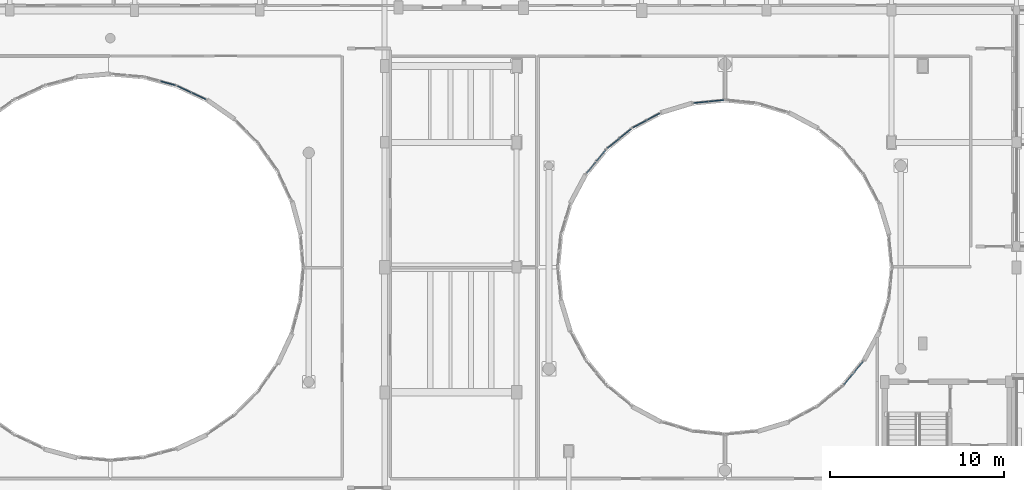
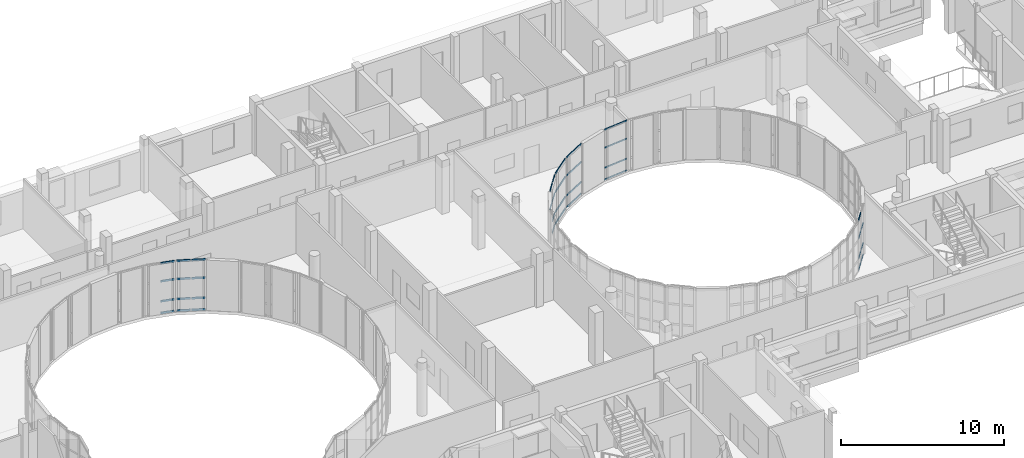
# One storey, part 51 of 92: 49 members, 7 elements without a shape of their own.
"""IFC4 building model written with IfcOpenShell, lengths in metres."""

from ifc_helpers import new_model, si_unit, direction, frame, origin, origin_2d, place, context, subcontext, project, spatial, hollow_rectangle, extrude, material, layer, layer_set, material_profile, profile_set, type_object, element, aggregate, save


model = new_model("IFC4")

# Units and contexts
model_context = context("Model", 3, precision=1e-05, world=origin(), true_north=direction((0.0, 1.0)))
body_context = subcontext(model_context, "Body", "Model", "MODEL_VIEW")
ifc_project = project(units=[si_unit("LENGTHUNIT", "METRE"), si_unit("AREAUNIT", "SQUARE_METRE"), si_unit("VOLUMEUNIT", "CUBIC_METRE"), si_unit("PLANEANGLEUNIT", "RADIAN"), si_unit("MASSUNIT", "GRAM", prefix="KILO")], contexts=[model_context])

# Site, building, storey
site_placement = place(None, origin())
site = spatial("IfcSite", under=ifc_project, at=site_placement, CompositionType="ELEMENT")
building_placement = place(site_placement, origin())
building = spatial("IfcBuilding", under=site, at=building_placement, Name="Kelanivale Promenade Academy", CompositionType="ELEMENT")
storey_placement = place(building_placement, frame((0.0, 0.0, 8.199951171875)))
storey = spatial("IfcBuildingStorey", under=building, at=storey_placement, Name="L02", CompositionType="ELEMENT", Elevation=8.199951171875)

# Curtain wall, members
ifc_material_1 = material(Name="Bronze anodised aluminium and solar-control low-E glass", Category="aluminium")
ifc_layer_1 = layer(ifc_material_1, 0.169921875)
ifc_layer_set_1 = layer_set([ifc_layer_1], Name="Bronze anodised aluminium and solar-control low-E glass")
curtain_wall_type_1 = type_object("IfcCurtainWallType", Name="CW-13 Curtain Wall 1350mm Module", PredefinedType="USERDEFINED", material=ifc_layer_set_1)
curtain_wall_1_placement = place(storey_placement, origin())
curtain_wall_1 = element("IfcCurtainWall", 1, at=curtain_wall_1_placement, inside=storey, type_object=curtain_wall_type_1, Name="L02 courtyard curtain wall CW-13", ObjectType="COURTYARD SCREEN GLAZING", PredefinedType="USERDEFINED")
ifc_material_2 = material(Name="Bronze anodised aluminium EN AW-6063 T6", Category="aluminium")
ifc_material_profile_1 = material_profile(ifc_material_2, hollow_rectangle(XDim=0.050048828125, YDim=0.10009765625, WallThickness=0.0029296875, at=origin_2d()), Name="ALU 50x100x3.0")
ifc_profile_set_1 = profile_set([ifc_material_profile_1], Name="Bronze anodised aluminium EN AW-6063 T6")
member_type_1 = type_object("IfcMemberType", Name="CWT-01 ALU 50x100x3.0", PredefinedType="USERDEFINED", material=ifc_profile_set_1)
member_1_placement = place(storey_placement, frame((98.726318359375, 66.43310546875, 0.025146484375), z_axis=(-0.995143929023, -0.098430485767, 0.0), x_axis=(0.098430485767, -0.995143929023, 0.0)))
member_1 = element("IfcMember", 2, at=member_1_placement, type_object=member_type_1, Name="CW-13 transom 1.1", ObjectType="TRANSOM", PredefinedType="USERDEFINED", context=body_context, shape_type="SweptSolid", body=[
    extrude(hollow_rectangle(XDim=0.050048828125, YDim=0.10009765625, WallThickness=0.0029296875, at=origin_2d()), origin(), (0.0, 0.0, 1.0), 0.83349609375),
])
member_2_placement = place(storey_placement, frame((98.726318359375, 66.43310546875, 0.900146484375), z_axis=(-0.995143929023, -0.098430485767, 0.0), x_axis=(0.098430485767, -0.995143929023, 0.0)))
member_2 = element("IfcMember", 3, at=member_2_placement, type_object=member_type_1, Name="CW-13 transom 1.2", ObjectType="TRANSOM", PredefinedType="USERDEFINED", context=body_context, shape_type="SweptSolid", body=[
    extrude(hollow_rectangle(XDim=0.050048828125, YDim=0.10009765625, WallThickness=0.0029296875, at=origin_2d()), origin(), (0.0, 0.0, 1.0), 0.83349609375),
])
member_3_placement = place(storey_placement, frame((98.726318359375, 66.43310546875, 2.400146484375), z_axis=(-0.995143929023, -0.098430485767, 0.0), x_axis=(0.098430485767, -0.995143929023, 0.0)))
member_3 = element("IfcMember", 4, at=member_3_placement, type_object=member_type_1, Name="CW-13 transom 1.3", ObjectType="TRANSOM", PredefinedType="USERDEFINED", context=body_context, shape_type="SweptSolid", body=[
    extrude(hollow_rectangle(XDim=0.050048828125, YDim=0.10009765625, WallThickness=0.0029296875, at=origin_2d()), origin(), (0.0, 0.0, 1.0), 0.83349609375),
])
member_4_placement = place(storey_placement, frame((98.726318359375, 66.43310546875, 3.755126953125), z_axis=(-0.995143929023, -0.098430485767, 0.0), x_axis=(0.098430485767, -0.995143929023, 0.0)))
member_4 = element("IfcMember", 5, at=member_4_placement, type_object=member_type_1, Name="CW-13 transom 1.4", ObjectType="TRANSOM", PredefinedType="USERDEFINED", context=body_context, shape_type="SweptSolid", body=[
    extrude(hollow_rectangle(XDim=0.050048828125, YDim=0.10009765625, WallThickness=0.0029296875, at=origin_2d()), origin(), (0.0, 0.0, 1.0), 0.83349609375),
])
member_5_placement = place(storey_placement, frame((97.837158203125, 66.344970703125, 0.025146484375), z_axis=(-0.995143929023, -0.098430485767, 0.0), x_axis=(0.098430485767, -0.995143929023, 0.0)))
member_5 = element("IfcMember", 6, at=member_5_placement, type_object=member_type_1, Name="CW-13 transom 2.1", ObjectType="TRANSOM", PredefinedType="USERDEFINED", context=body_context, shape_type="SweptSolid", body=[
    extrude(hollow_rectangle(XDim=0.050048828125, YDim=0.10009765625, WallThickness=0.0029296875, at=origin_2d()), origin(), (0.0, 0.0, 1.0), 0.83349609375),
])
member_6_placement = place(storey_placement, frame((97.837158203125, 66.344970703125, 0.900146484375), z_axis=(-0.995143929023, -0.098430485767, 0.0), x_axis=(0.098430485767, -0.995143929023, 0.0)))
member_6 = element("IfcMember", 7, at=member_6_placement, type_object=member_type_1, Name="CW-13 transom 2.2", ObjectType="TRANSOM", PredefinedType="USERDEFINED", context=body_context, shape_type="SweptSolid", body=[
    extrude(hollow_rectangle(XDim=0.050048828125, YDim=0.10009765625, WallThickness=0.0029296875, at=origin_2d()), origin(), (0.0, 0.0, 1.0), 0.83349609375),
])
member_7_placement = place(storey_placement, frame((97.837158203125, 66.344970703125, 2.400146484375), z_axis=(-0.995143929023, -0.098430485767, 0.0), x_axis=(0.098430485767, -0.995143929023, 0.0)))
member_7 = element("IfcMember", 8, at=member_7_placement, type_object=member_type_1, Name="CW-13 transom 2.3", ObjectType="TRANSOM", PredefinedType="USERDEFINED", context=body_context, shape_type="SweptSolid", body=[
    extrude(hollow_rectangle(XDim=0.050048828125, YDim=0.10009765625, WallThickness=0.0029296875, at=origin_2d()), origin(), (0.0, 0.0, 1.0), 0.83349609375),
])
member_8_placement = place(storey_placement, frame((97.837158203125, 66.344970703125, 3.755126953125), z_axis=(-0.995143929023, -0.098430485767, 0.0), x_axis=(0.098430485767, -0.995143929023, 0.0)))
member_8 = element("IfcMember", 9, at=member_8_placement, type_object=member_type_1, Name="CW-13 transom 2.4", ObjectType="TRANSOM", PredefinedType="USERDEFINED", context=body_context, shape_type="SweptSolid", body=[
    extrude(hollow_rectangle(XDim=0.050048828125, YDim=0.10009765625, WallThickness=0.0029296875, at=origin_2d()), origin(), (0.0, 0.0, 1.0), 0.83349609375),
])
aggregate(curtain_wall_1, [member_1, member_2, member_3, member_4, member_5, member_6, member_7, member_8])

ifc_layer_2 = layer(ifc_material_1, 0.179931640625)
ifc_layer_set_2 = layer_set([ifc_layer_2], Name="Bronze anodised aluminium and solar-control low-E glass")
curtain_wall_type_2 = type_object("IfcCurtainWallType", Name="CW-14 Curtain Wall 1500mm Module", PredefinedType="USERDEFINED", material=ifc_layer_set_2)
curtain_wall_2_placement = place(storey_placement, origin())
curtain_wall_2 = element("IfcCurtainWall", 10, at=curtain_wall_2_placement, inside=storey, type_object=curtain_wall_type_2, Name="L02 courtyard curtain wall CW-14", ObjectType="COURTYARD SCREEN GLAZING", PredefinedType="USERDEFINED")
ifc_material_profile_2 = material_profile(ifc_material_2, hollow_rectangle(XDim=0.050048828125, YDim=0.1201171875, WallThickness=0.0029296875, at=origin_2d()), Name="ALU 50x120x3.0")
ifc_profile_set_2 = profile_set([ifc_material_profile_2], Name="Bronze anodised aluminium EN AW-6063 T6")
member_type_2 = type_object("IfcMemberType", Name="CWT-02 ALU 50x120x3.0", PredefinedType="USERDEFINED", material=ifc_profile_set_2)
member_9_placement = place(storey_placement, frame((95.033203125, 65.664794921875, 0.025146484375), z_axis=(-0.882044913704, -0.471165332138, 0.0), x_axis=(0.471165332138, -0.882044913704, 0.0)))
member_9 = element("IfcMember", 11, at=member_9_placement, type_object=member_type_2, Name="CW-14 transom 1.1", ObjectType="TRANSOM", PredefinedType="USERDEFINED", context=body_context, shape_type="SweptSolid", body=[
    extrude(hollow_rectangle(XDim=0.050048828125, YDim=0.1201171875, WallThickness=0.0029296875, at=origin_2d()), origin(), (0.0, 0.0, 1.0), 0.834228515625),
])
member_10_placement = place(storey_placement, frame((95.033203125, 65.664794921875, 0.900146484375), z_axis=(-0.882044913704, -0.471165332138, 0.0), x_axis=(0.471165332138, -0.882044913704, 0.0)))
member_10 = element("IfcMember", 12, at=member_10_placement, type_object=member_type_2, Name="CW-14 transom 1.2", ObjectType="TRANSOM", PredefinedType="USERDEFINED", context=body_context, shape_type="SweptSolid", body=[
    extrude(hollow_rectangle(XDim=0.050048828125, YDim=0.1201171875, WallThickness=0.0029296875, at=origin_2d()), origin(), (0.0, 0.0, 1.0), 0.834228515625),
])
member_11_placement = place(storey_placement, frame((95.033203125, 65.664794921875, 2.400146484375), z_axis=(-0.882044913704, -0.471165332138, 0.0), x_axis=(0.471165332138, -0.882044913704, 0.0)))
member_11 = element("IfcMember", 13, at=member_11_placement, type_object=member_type_2, Name="CW-14 transom 1.3", ObjectType="TRANSOM", PredefinedType="USERDEFINED", context=body_context, shape_type="SweptSolid", body=[
    extrude(hollow_rectangle(XDim=0.050048828125, YDim=0.1201171875, WallThickness=0.0029296875, at=origin_2d()), origin(), (0.0, 0.0, 1.0), 0.834228515625),
])
member_12_placement = place(storey_placement, frame((95.033203125, 65.664794921875, 3.755126953125), z_axis=(-0.882044913704, -0.471165332138, 0.0), x_axis=(0.471165332138, -0.882044913704, 0.0)))
member_12 = element("IfcMember", 14, at=member_12_placement, type_object=member_type_2, Name="CW-14 transom 1.4", ObjectType="TRANSOM", PredefinedType="USERDEFINED", context=body_context, shape_type="SweptSolid", body=[
    extrude(hollow_rectangle(XDim=0.050048828125, YDim=0.1201171875, WallThickness=0.0029296875, at=origin_2d()), origin(), (0.0, 0.0, 1.0), 0.834228515625),
])
member_13_placement = place(storey_placement, frame((94.24462890625, 65.243408203125, 0.025146484375), z_axis=(-0.881979921347, -0.471286980873, 0.0), x_axis=(0.471286980873, -0.881979921347, 0.0)))
member_13 = element("IfcMember", 15, at=member_13_placement, type_object=member_type_2, Name="CW-14 transom 2.1", ObjectType="TRANSOM", PredefinedType="USERDEFINED", context=body_context, shape_type="SweptSolid", body=[
    extrude(hollow_rectangle(XDim=0.050048828125, YDim=0.1201171875, WallThickness=0.0029296875, at=origin_2d()), origin(), (0.0, 0.0, 1.0), 0.833984375),
])
member_14_placement = place(storey_placement, frame((94.24462890625, 65.243408203125, 0.900146484375), z_axis=(-0.881979921347, -0.471286980873, 0.0), x_axis=(0.471286980873, -0.881979921347, 0.0)))
member_14 = element("IfcMember", 16, at=member_14_placement, type_object=member_type_2, Name="CW-14 transom 2.2", ObjectType="TRANSOM", PredefinedType="USERDEFINED", context=body_context, shape_type="SweptSolid", body=[
    extrude(hollow_rectangle(XDim=0.050048828125, YDim=0.1201171875, WallThickness=0.0029296875, at=origin_2d()), origin(), (0.0, 0.0, 1.0), 0.833984375),
])
member_15_placement = place(storey_placement, frame((94.24462890625, 65.243408203125, 2.400146484375), z_axis=(-0.881979921347, -0.471286980873, 0.0), x_axis=(0.471286980873, -0.881979921347, 0.0)))
member_15 = element("IfcMember", 17, at=member_15_placement, type_object=member_type_2, Name="CW-14 transom 2.3", ObjectType="TRANSOM", PredefinedType="USERDEFINED", context=body_context, shape_type="SweptSolid", body=[
    extrude(hollow_rectangle(XDim=0.050048828125, YDim=0.1201171875, WallThickness=0.0029296875, at=origin_2d()), origin(), (0.0, 0.0, 1.0), 0.833984375),
])
member_16_placement = place(storey_placement, frame((94.24462890625, 65.243408203125, 3.755126953125), z_axis=(-0.881979921347, -0.471286980873, 0.0), x_axis=(0.471286980873, -0.881979921347, 0.0)))
member_16 = element("IfcMember", 18, at=member_16_placement, type_object=member_type_2, Name="CW-14 transom 2.4", ObjectType="TRANSOM", PredefinedType="USERDEFINED", context=body_context, shape_type="SweptSolid", body=[
    extrude(hollow_rectangle(XDim=0.050048828125, YDim=0.1201171875, WallThickness=0.0029296875, at=origin_2d()), origin(), (0.0, 0.0, 1.0), 0.833984375),
])
aggregate(curtain_wall_2, [member_9, member_10, member_11, member_12, member_13, member_14, member_15, member_16])

ifc_layer_3 = layer(ifc_material_1, 0.159912109375)
ifc_layer_set_3 = layer_set([ifc_layer_3], Name="Bronze anodised aluminium and solar-control low-E glass")
curtain_wall_type_3 = type_object("IfcCurtainWallType", Name="CW-15 Curtain Wall 1650mm Module", PredefinedType="USERDEFINED", material=ifc_layer_set_3)
curtain_wall_3_placement = place(storey_placement, origin())
curtain_wall_3 = element("IfcCurtainWall", 19, at=curtain_wall_3_placement, inside=storey, type_object=curtain_wall_type_3, Name="L02 courtyard curtain wall CW-15", ObjectType="COURTYARD SCREEN GLAZING", PredefinedType="USERDEFINED")
ifc_material_profile_3 = material_profile(ifc_material_2, hollow_rectangle(XDim=0.050048828125, YDim=0.14990234375, WallThickness=0.00341796875, at=origin_2d()), Name="ALU 50x150x3.5")
ifc_profile_set_3 = profile_set([ifc_material_profile_3], Name="Bronze anodised aluminium EN AW-6063 T6")
member_type_3 = type_object("IfcMemberType", Name="CWT-03 ALU 50x150x3.5", PredefinedType="USERDEFINED", material=ifc_profile_set_3)
member_17_placement = place(storey_placement, frame((93.3828125, 64.765869140625, 0.025146484375), z_axis=(-0.773213238462, -0.634146109242, 0.0), x_axis=(0.634146109242, -0.773213238462, 0.0)))
member_17 = element("IfcMember", 20, at=member_17_placement, type_object=member_type_3, Name="CW-15 transom 1.1", ObjectType="TRANSOM", PredefinedType="USERDEFINED", context=body_context, shape_type="SweptSolid", body=[
    extrude(hollow_rectangle(XDim=0.050048828125, YDim=0.14990234375, WallThickness=0.00341796875, at=origin_2d()), origin(), (0.0, 0.0, 1.0), 0.833984375),
])
member_18_placement = place(storey_placement, frame((93.3828125, 64.765869140625, 0.900146484375), z_axis=(-0.773213238462, -0.634146109242, 0.0), x_axis=(0.634146109242, -0.773213238462, 0.0)))
member_18 = element("IfcMember", 21, at=member_18_placement, type_object=member_type_3, Name="CW-15 transom 1.2", ObjectType="TRANSOM", PredefinedType="USERDEFINED", context=body_context, shape_type="SweptSolid", body=[
    extrude(hollow_rectangle(XDim=0.050048828125, YDim=0.14990234375, WallThickness=0.00341796875, at=origin_2d()), origin(), (0.0, 0.0, 1.0), 0.833984375),
])
member_19_placement = place(storey_placement, frame((93.3828125, 64.765869140625, 2.400146484375), z_axis=(-0.773213238462, -0.634146109242, 0.0), x_axis=(0.634146109242, -0.773213238462, 0.0)))
member_19 = element("IfcMember", 22, at=member_19_placement, type_object=member_type_3, Name="CW-15 transom 1.3", ObjectType="TRANSOM", PredefinedType="USERDEFINED", context=body_context, shape_type="SweptSolid", body=[
    extrude(hollow_rectangle(XDim=0.050048828125, YDim=0.14990234375, WallThickness=0.00341796875, at=origin_2d()), origin(), (0.0, 0.0, 1.0), 0.833984375),
])
member_20_placement = place(storey_placement, frame((93.3828125, 64.765869140625, 3.755126953125), z_axis=(-0.773213238462, -0.634146109242, 0.0), x_axis=(0.634146109242, -0.773213238462, 0.0)))
member_20 = element("IfcMember", 23, at=member_20_placement, type_object=member_type_3, Name="CW-15 transom 1.4", ObjectType="TRANSOM", PredefinedType="USERDEFINED", context=body_context, shape_type="SweptSolid", body=[
    extrude(hollow_rectangle(XDim=0.050048828125, YDim=0.14990234375, WallThickness=0.00341796875, at=origin_2d()), origin(), (0.0, 0.0, 1.0), 0.833984375),
])
member_21_placement = place(storey_placement, frame((92.68798828125, 64.19580078125, 0.025146484375), z_axis=(-0.773356800683, -0.633971023657, 0.0), x_axis=(0.633971023657, -0.773356800683, 0.0)))
member_21 = element("IfcMember", 24, at=member_21_placement, type_object=member_type_3, Name="CW-15 transom 2.1", ObjectType="TRANSOM", PredefinedType="USERDEFINED", context=body_context, shape_type="SweptSolid", body=[
    extrude(hollow_rectangle(XDim=0.050048828125, YDim=0.14990234375, WallThickness=0.00341796875, at=origin_2d()), origin(), (0.0, 0.0, 1.0), 0.833740234375),
])
member_22_placement = place(storey_placement, frame((92.68798828125, 64.19580078125, 0.900146484375), z_axis=(-0.773356800683, -0.633971023657, 0.0), x_axis=(0.633971023657, -0.773356800683, 0.0)))
member_22 = element("IfcMember", 25, at=member_22_placement, type_object=member_type_3, Name="CW-15 transom 2.2", ObjectType="TRANSOM", PredefinedType="USERDEFINED", context=body_context, shape_type="SweptSolid", body=[
    extrude(hollow_rectangle(XDim=0.050048828125, YDim=0.14990234375, WallThickness=0.00341796875, at=origin_2d()), origin(), (0.0, 0.0, 1.0), 0.833740234375),
])
member_23_placement = place(storey_placement, frame((92.68798828125, 64.19580078125, 2.400146484375), z_axis=(-0.773356800683, -0.633971023657, 0.0), x_axis=(0.633971023657, -0.773356800683, 0.0)))
member_23 = element("IfcMember", 26, at=member_23_placement, type_object=member_type_3, Name="CW-15 transom 2.3", ObjectType="TRANSOM", PredefinedType="USERDEFINED", context=body_context, shape_type="SweptSolid", body=[
    extrude(hollow_rectangle(XDim=0.050048828125, YDim=0.14990234375, WallThickness=0.00341796875, at=origin_2d()), origin(), (0.0, 0.0, 1.0), 0.833740234375),
])
member_24_placement = place(storey_placement, frame((92.68798828125, 64.19580078125, 3.755126953125), z_axis=(-0.773356800683, -0.633971023657, 0.0), x_axis=(0.633971023657, -0.773356800683, 0.0)))
member_24 = element("IfcMember", 27, at=member_24_placement, type_object=member_type_3, Name="CW-15 transom 2.4", ObjectType="TRANSOM", PredefinedType="USERDEFINED", context=body_context, shape_type="SweptSolid", body=[
    extrude(hollow_rectangle(XDim=0.050048828125, YDim=0.14990234375, WallThickness=0.00341796875, at=origin_2d()), origin(), (0.0, 0.0, 1.0), 0.833740234375),
])
aggregate(curtain_wall_3, [member_17, member_18, member_19, member_20, member_21, member_22, member_23, member_24])

ifc_layer_4 = layer(ifc_material_1, 0.179931640625)
ifc_layer_set_4 = layer_set([ifc_layer_4], Name="Bronze anodised aluminium and solar-control low-E glass")
curtain_wall_type_4 = type_object("IfcCurtainWallType", Name="CW-11 Curtain Wall 1950mm Module", PredefinedType="USERDEFINED", material=ifc_layer_set_4)
curtain_wall_4_placement = place(storey_placement, origin())
curtain_wall_4 = element("IfcCurtainWall", 28, at=curtain_wall_4_placement, inside=storey, type_object=curtain_wall_type_4, Name="L02 courtyard curtain wall CW-11", ObjectType="UNITISED GLAZING", PredefinedType="USERDEFINED")
member_25_placement = place(storey_placement, frame((68.885986328125, 66.486572265625, 0.025146484375), z_axis=(-0.906117364879, 0.423026383414, 0.0), x_axis=(-0.423026383414, -0.906117364879, 0.0)))
member_25 = element("IfcMember", 29, at=member_25_placement, type_object=member_type_3, Name="CW-11 transom 1.1", ObjectType="TRANSOM", PredefinedType="USERDEFINED", context=body_context, shape_type="SweptSolid", body=[
    extrude(hollow_rectangle(XDim=0.050048828125, YDim=0.14990234375, WallThickness=0.00341796875, at=origin_2d()), origin(), (0.0, 0.0, 1.0), 0.853515625),
])
member_26_placement = place(storey_placement, frame((68.885986328125, 66.486572265625, 0.900146484375), z_axis=(-0.906117364879, 0.423026383414, 0.0), x_axis=(-0.423026383414, -0.906117364879, 0.0)))
member_26 = element("IfcMember", 30, at=member_26_placement, type_object=member_type_3, Name="CW-11 transom 1.2", ObjectType="TRANSOM", PredefinedType="USERDEFINED", context=body_context, shape_type="SweptSolid", body=[
    extrude(hollow_rectangle(XDim=0.050048828125, YDim=0.14990234375, WallThickness=0.00341796875, at=origin_2d()), origin(), (0.0, 0.0, 1.0), 0.853515625),
])
member_27_placement = place(storey_placement, frame((68.885986328125, 66.486572265625, 2.400146484375), z_axis=(-0.906117364879, 0.423026383414, 0.0), x_axis=(-0.423026383414, -0.906117364879, 0.0)))
member_27 = element("IfcMember", 31, at=member_27_placement, type_object=member_type_3, Name="CW-11 transom 1.3", ObjectType="TRANSOM", PredefinedType="USERDEFINED", context=body_context, shape_type="SweptSolid", body=[
    extrude(hollow_rectangle(XDim=0.050048828125, YDim=0.14990234375, WallThickness=0.00341796875, at=origin_2d()), origin(), (0.0, 0.0, 1.0), 0.853515625),
])
member_28_placement = place(storey_placement, frame((68.885986328125, 66.486572265625, 3.755126953125), z_axis=(-0.906117364879, 0.423026383414, 0.0), x_axis=(-0.423026383414, -0.906117364879, 0.0)))
member_28 = element("IfcMember", 32, at=member_28_placement, type_object=member_type_3, Name="CW-11 transom 1.4", ObjectType="TRANSOM", PredefinedType="USERDEFINED", context=body_context, shape_type="SweptSolid", body=[
    extrude(hollow_rectangle(XDim=0.050048828125, YDim=0.14990234375, WallThickness=0.00341796875, at=origin_2d()), origin(), (0.0, 0.0, 1.0), 0.853515625),
])
member_29_placement = place(storey_placement, frame((68.053466796875, 66.875244140625, 0.025146484375), z_axis=(-0.906058926949, 0.423151534201, 0.0), x_axis=(-0.423151534201, -0.906058926949, 0.0)))
member_29 = element("IfcMember", 33, at=member_29_placement, type_object=member_type_3, Name="CW-11 transom 2.1", ObjectType="TRANSOM", PredefinedType="USERDEFINED", context=body_context, shape_type="SweptSolid", body=[
    extrude(hollow_rectangle(XDim=0.050048828125, YDim=0.14990234375, WallThickness=0.00341796875, at=origin_2d()), origin(), (0.0, 0.0, 1.0), 0.85400390625),
])
member_30_placement = place(storey_placement, frame((68.053466796875, 66.875244140625, 0.900146484375), z_axis=(-0.906058926949, 0.423151534201, 0.0), x_axis=(-0.423151534201, -0.906058926949, 0.0)))
member_30 = element("IfcMember", 34, at=member_30_placement, type_object=member_type_3, Name="CW-11 transom 2.2", ObjectType="TRANSOM", PredefinedType="USERDEFINED", context=body_context, shape_type="SweptSolid", body=[
    extrude(hollow_rectangle(XDim=0.050048828125, YDim=0.14990234375, WallThickness=0.00341796875, at=origin_2d()), origin(), (0.0, 0.0, 1.0), 0.85400390625),
])
member_31_placement = place(storey_placement, frame((68.053466796875, 66.875244140625, 2.400146484375), z_axis=(-0.906058926949, 0.423151534201, 0.0), x_axis=(-0.423151534201, -0.906058926949, 0.0)))
member_31 = element("IfcMember", 35, at=member_31_placement, type_object=member_type_3, Name="CW-11 transom 2.3", ObjectType="TRANSOM", PredefinedType="USERDEFINED", context=body_context, shape_type="SweptSolid", body=[
    extrude(hollow_rectangle(XDim=0.050048828125, YDim=0.14990234375, WallThickness=0.00341796875, at=origin_2d()), origin(), (0.0, 0.0, 1.0), 0.85400390625),
])
member_32_placement = place(storey_placement, frame((68.053466796875, 66.875244140625, 3.755126953125), z_axis=(-0.906058926949, 0.423151534201, 0.0), x_axis=(-0.423151534201, -0.906058926949, 0.0)))
member_32 = element("IfcMember", 36, at=member_32_placement, type_object=member_type_3, Name="CW-11 transom 2.4", ObjectType="TRANSOM", PredefinedType="USERDEFINED", context=body_context, shape_type="SweptSolid", body=[
    extrude(hollow_rectangle(XDim=0.050048828125, YDim=0.14990234375, WallThickness=0.00341796875, at=origin_2d()), origin(), (0.0, 0.0, 1.0), 0.85400390625),
])
aggregate(curtain_wall_4, [member_25, member_26, member_27, member_28, member_29, member_30, member_31, member_32])

ifc_layer_5 = layer(ifc_material_1, 0.169921875)
ifc_layer_set_5 = layer_set([ifc_layer_5], Name="Bronze anodised aluminium and solar-control low-E glass")
curtain_wall_type_5 = type_object("IfcCurtainWallType", Name="CW-16 Curtain Wall 1800mm Module", PredefinedType="USERDEFINED", material=ifc_layer_set_5)
curtain_wall_5_placement = place(storey_placement, origin())
curtain_wall_5 = element("IfcCurtainWall", 37, at=curtain_wall_5_placement, inside=storey, type_object=curtain_wall_type_5, Name="L02 courtyard curtain wall CW-16", ObjectType="COURTYARD SCREEN GLAZING", PredefinedType="USERDEFINED")
ifc_material_profile_4 = material_profile(ifc_material_2, hollow_rectangle(XDim=0.06005859375, YDim=0.139892578125, WallThickness=0.00341796875, at=origin_2d()), Name="ALU 60x140x3.5")
ifc_profile_set_4 = profile_set([ifc_material_profile_4], Name="Bronze anodised aluminium EN AW-6063 T6")
member_type_4 = type_object("IfcMemberType", Name="CWT-04 ALU 60x140x3.5", PredefinedType="USERDEFINED", material=ifc_profile_set_4)
member_33_placement = place(storey_placement, frame((91.932861328125, 63.556640625, 0.030029296875), z_axis=(-0.634203334047, -0.773166302346, 0.0), x_axis=(0.773166302346, -0.634203334047, 0.0)))
member_33 = element("IfcMember", 38, at=member_33_placement, type_object=member_type_4, Name="CW-16 transom 1.1", ObjectType="TRANSOM", PredefinedType="USERDEFINED", context=body_context, shape_type="SweptSolid", body=[
    extrude(hollow_rectangle(XDim=0.06005859375, YDim=0.139892578125, WallThickness=0.00341796875, at=origin_2d()), origin(), (0.0, 0.0, 1.0), 0.82568359375),
])
member_34_placement = place(storey_placement, frame((91.932861328125, 63.556640625, 0.900146484375), z_axis=(-0.634203334047, -0.773166302346, 0.0), x_axis=(0.773166302346, -0.634203334047, 0.0)))
member_34 = element("IfcMember", 39, at=member_34_placement, type_object=member_type_4, Name="CW-16 transom 1.2", ObjectType="TRANSOM", PredefinedType="USERDEFINED", context=body_context, shape_type="SweptSolid", body=[
    extrude(hollow_rectangle(XDim=0.06005859375, YDim=0.139892578125, WallThickness=0.00341796875, at=origin_2d()), origin(), (0.0, 0.0, 1.0), 0.82568359375),
])
member_35_placement = place(storey_placement, frame((91.932861328125, 63.556640625, 2.400146484375), z_axis=(-0.634203334047, -0.773166302346, 0.0), x_axis=(0.773166302346, -0.634203334047, 0.0)))
member_35 = element("IfcMember", 40, at=member_35_placement, type_object=member_type_4, Name="CW-16 transom 1.3", ObjectType="TRANSOM", PredefinedType="USERDEFINED", context=body_context, shape_type="SweptSolid", body=[
    extrude(hollow_rectangle(XDim=0.06005859375, YDim=0.139892578125, WallThickness=0.00341796875, at=origin_2d()), origin(), (0.0, 0.0, 1.0), 0.82568359375),
])
member_36_placement = place(storey_placement, frame((91.932861328125, 63.556640625, 3.75), z_axis=(-0.634203334047, -0.773166302346, 0.0), x_axis=(0.773166302346, -0.634203334047, 0.0)))
member_36 = element("IfcMember", 41, at=member_36_placement, type_object=member_type_4, Name="CW-16 transom 1.4", ObjectType="TRANSOM", PredefinedType="USERDEFINED", context=body_context, shape_type="SweptSolid", body=[
    extrude(hollow_rectangle(XDim=0.06005859375, YDim=0.139892578125, WallThickness=0.00341796875, at=origin_2d()), origin(), (0.0, 0.0, 1.0), 0.82568359375),
])
member_37_placement = place(storey_placement, frame((91.367919921875, 62.867919921875, 2.400146484375), z_axis=(-0.634058377853, -0.7732851825, 0.0), x_axis=(0.7732851825, -0.634058377853, 0.0)))
member_37 = element("IfcMember", 42, at=member_37_placement, type_object=member_type_4, Name="CW-16 transom 2.3", ObjectType="TRANSOM", PredefinedType="USERDEFINED", context=body_context, shape_type="SweptSolid", body=[
    extrude(hollow_rectangle(XDim=0.06005859375, YDim=0.139892578125, WallThickness=0.00341796875, at=origin_2d()), origin(), (0.0, 0.0, 1.0), 0.825927734375),
])
member_38_placement = place(storey_placement, frame((91.367919921875, 62.867919921875, 3.75), z_axis=(-0.634058377853, -0.7732851825, 0.0), x_axis=(0.7732851825, -0.634058377853, 0.0)))
member_38 = element("IfcMember", 43, at=member_38_placement, type_object=member_type_4, Name="CW-16 transom 2.4", ObjectType="TRANSOM", PredefinedType="USERDEFINED", context=body_context, shape_type="SweptSolid", body=[
    extrude(hollow_rectangle(XDim=0.06005859375, YDim=0.139892578125, WallThickness=0.00341796875, at=origin_2d()), origin(), (0.0, 0.0, 1.0), 0.825927734375),
])
aggregate(curtain_wall_5, [member_33, member_34, member_35, member_36, member_37, member_38])

ifc_layer_6 = layer(ifc_material_1, 0.169921875)
ifc_layer_set_6 = layer_set([ifc_layer_6], Name="Bronze anodised aluminium and solar-control low-E glass")
curtain_wall_type_6 = type_object("IfcCurtainWallType", Name="CW-04 Curtain Wall 1800mm Module", PredefinedType="USERDEFINED", material=ifc_layer_set_6)
curtain_wall_6_placement = place(storey_placement, origin())
curtain_wall_6 = element("IfcCurtainWall", 44, at=curtain_wall_6_placement, inside=storey, type_object=curtain_wall_type_6, Name="L02 courtyard curtain wall CW-04", ObjectType="UNITISED GLAZING", PredefinedType="USERDEFINED")
member_39_placement = place(storey_placement, frame((105.667236328125, 50.043212890625, 0.030029296875), z_axis=(0.634058377853, 0.7732851825, 0.0), x_axis=(-0.7732851825, 0.634058377853, 0.0)))
member_39 = element("IfcMember", 45, at=member_39_placement, type_object=member_type_4, Name="CW-04 transom 1.1", ObjectType="TRANSOM", PredefinedType="USERDEFINED", context=body_context, shape_type="SweptSolid", body=[
    extrude(hollow_rectangle(XDim=0.06005859375, YDim=0.139892578125, WallThickness=0.00341796875, at=origin_2d()), origin(), (0.0, 0.0, 1.0), 0.825927734375),
])
member_40_placement = place(storey_placement, frame((105.667236328125, 50.043212890625, 0.900146484375), z_axis=(0.634058377853, 0.7732851825, 0.0), x_axis=(-0.7732851825, 0.634058377853, 0.0)))
member_40 = element("IfcMember", 46, at=member_40_placement, type_object=member_type_4, Name="CW-04 transom 1.2", ObjectType="TRANSOM", PredefinedType="USERDEFINED", context=body_context, shape_type="SweptSolid", body=[
    extrude(hollow_rectangle(XDim=0.06005859375, YDim=0.139892578125, WallThickness=0.00341796875, at=origin_2d()), origin(), (0.0, 0.0, 1.0), 0.825927734375),
])
member_41_placement = place(storey_placement, frame((105.667236328125, 50.043212890625, 2.400146484375), z_axis=(0.634058377853, 0.7732851825, 0.0), x_axis=(-0.7732851825, 0.634058377853, 0.0)))
member_41 = element("IfcMember", 47, at=member_41_placement, type_object=member_type_4, Name="CW-04 transom 1.3", ObjectType="TRANSOM", PredefinedType="USERDEFINED", context=body_context, shape_type="SweptSolid", body=[
    extrude(hollow_rectangle(XDim=0.06005859375, YDim=0.139892578125, WallThickness=0.00341796875, at=origin_2d()), origin(), (0.0, 0.0, 1.0), 0.825927734375),
])
member_42_placement = place(storey_placement, frame((105.667236328125, 50.043212890625, 3.75), z_axis=(0.634058377853, 0.7732851825, 0.0), x_axis=(-0.7732851825, 0.634058377853, 0.0)))
member_42 = element("IfcMember", 48, at=member_42_placement, type_object=member_type_4, Name="CW-04 transom 1.4", ObjectType="TRANSOM", PredefinedType="USERDEFINED", context=body_context, shape_type="SweptSolid", body=[
    extrude(hollow_rectangle(XDim=0.06005859375, YDim=0.139892578125, WallThickness=0.00341796875, at=origin_2d()), origin(), (0.0, 0.0, 1.0), 0.825927734375),
])
member_43_placement = place(storey_placement, frame((106.232177734375, 50.732177734375, 0.030029296875), z_axis=(0.634058377853, 0.7732851825, 0.0), x_axis=(-0.7732851825, 0.634058377853, 0.0)))
member_43 = element("IfcMember", 49, at=member_43_placement, type_object=member_type_4, Name="CW-04 transom 2.1", ObjectType="TRANSOM", PredefinedType="USERDEFINED", context=body_context, shape_type="SweptSolid", body=[
    extrude(hollow_rectangle(XDim=0.06005859375, YDim=0.139892578125, WallThickness=0.00341796875, at=origin_2d()), origin(), (0.0, 0.0, 1.0), 0.825927734375),
])
member_44_placement = place(storey_placement, frame((106.232177734375, 50.732177734375, 0.900146484375), z_axis=(0.634058377853, 0.7732851825, 0.0), x_axis=(-0.7732851825, 0.634058377853, 0.0)))
member_44 = element("IfcMember", 50, at=member_44_placement, type_object=member_type_4, Name="CW-04 transom 2.2", ObjectType="TRANSOM", PredefinedType="USERDEFINED", context=body_context, shape_type="SweptSolid", body=[
    extrude(hollow_rectangle(XDim=0.06005859375, YDim=0.139892578125, WallThickness=0.00341796875, at=origin_2d()), origin(), (0.0, 0.0, 1.0), 0.825927734375),
])
member_45_placement = place(storey_placement, frame((106.232177734375, 50.732177734375, 2.400146484375), z_axis=(0.634058377853, 0.7732851825, 0.0), x_axis=(-0.7732851825, 0.634058377853, 0.0)))
member_45 = element("IfcMember", 51, at=member_45_placement, type_object=member_type_4, Name="CW-04 transom 2.3", ObjectType="TRANSOM", PredefinedType="USERDEFINED", context=body_context, shape_type="SweptSolid", body=[
    extrude(hollow_rectangle(XDim=0.06005859375, YDim=0.139892578125, WallThickness=0.00341796875, at=origin_2d()), origin(), (0.0, 0.0, 1.0), 0.825927734375),
])
aggregate(curtain_wall_6, [member_39, member_40, member_41, member_42, member_43, member_44, member_45])

ifc_layer_7 = layer(ifc_material_1, 0.159912109375)
ifc_layer_set_7 = layer_set([ifc_layer_7], Name="Bronze anodised aluminium and solar-control low-E glass")
curtain_wall_type_7 = type_object("IfcCurtainWallType", Name="CW-12 Curtain Wall 1200mm Module", PredefinedType="USERDEFINED", material=ifc_layer_set_7)
curtain_wall_7_placement = place(storey_placement, origin())
curtain_wall_7 = element("IfcCurtainWall", 52, at=curtain_wall_7_placement, inside=storey, type_object=curtain_wall_type_7, Name="L02 courtyard curtain wall CW-12", ObjectType="UNITISED GLAZING", PredefinedType="USERDEFINED")
member_46_placement = place(storey_placement, frame((67.13525390625, 67.288818359375, 0.030029296875), z_axis=(-0.965989796673, 0.258580186254, 0.0), x_axis=(-0.258580186254, -0.965989796673, 0.0)))
member_46 = element("IfcMember", 53, at=member_46_placement, type_object=member_type_4, Name="CW-12 transom 1.1", ObjectType="TRANSOM", PredefinedType="USERDEFINED", context=body_context, shape_type="SweptSolid", body=[
    extrude(hollow_rectangle(XDim=0.06005859375, YDim=0.139892578125, WallThickness=0.00341796875, at=origin_2d()), origin(), (0.0, 0.0, 1.0), 0.861083984375),
])
member_47_placement = place(storey_placement, frame((67.13525390625, 67.288818359375, 0.900146484375), z_axis=(-0.965989796673, 0.258580186254, 0.0), x_axis=(-0.258580186254, -0.965989796673, 0.0)))
member_47 = element("IfcMember", 54, at=member_47_placement, type_object=member_type_4, Name="CW-12 transom 1.2", ObjectType="TRANSOM", PredefinedType="USERDEFINED", context=body_context, shape_type="SweptSolid", body=[
    extrude(hollow_rectangle(XDim=0.06005859375, YDim=0.139892578125, WallThickness=0.00341796875, at=origin_2d()), origin(), (0.0, 0.0, 1.0), 0.861083984375),
])
member_48_placement = place(storey_placement, frame((67.13525390625, 67.288818359375, 2.400146484375), z_axis=(-0.965989796673, 0.258580186254, 0.0), x_axis=(-0.258580186254, -0.965989796673, 0.0)))
member_48 = element("IfcMember", 55, at=member_48_placement, type_object=member_type_4, Name="CW-12 transom 1.3", ObjectType="TRANSOM", PredefinedType="USERDEFINED", context=body_context, shape_type="SweptSolid", body=[
    extrude(hollow_rectangle(XDim=0.06005859375, YDim=0.139892578125, WallThickness=0.00341796875, at=origin_2d()), origin(), (0.0, 0.0, 1.0), 0.861083984375),
])
member_49_placement = place(storey_placement, frame((67.13525390625, 67.288818359375, 3.75), z_axis=(-0.965989796673, 0.258580186254, 0.0), x_axis=(-0.258580186254, -0.965989796673, 0.0)))
member_49 = element("IfcMember", 56, at=member_49_placement, type_object=member_type_4, Name="CW-12 transom 1.4", ObjectType="TRANSOM", PredefinedType="USERDEFINED", context=body_context, shape_type="SweptSolid", body=[
    extrude(hollow_rectangle(XDim=0.06005859375, YDim=0.139892578125, WallThickness=0.00341796875, at=origin_2d()), origin(), (0.0, 0.0, 1.0), 0.861083984375),
])
aggregate(curtain_wall_7, [member_46, member_47, member_48, member_49])

save(model, "model.ifc")
